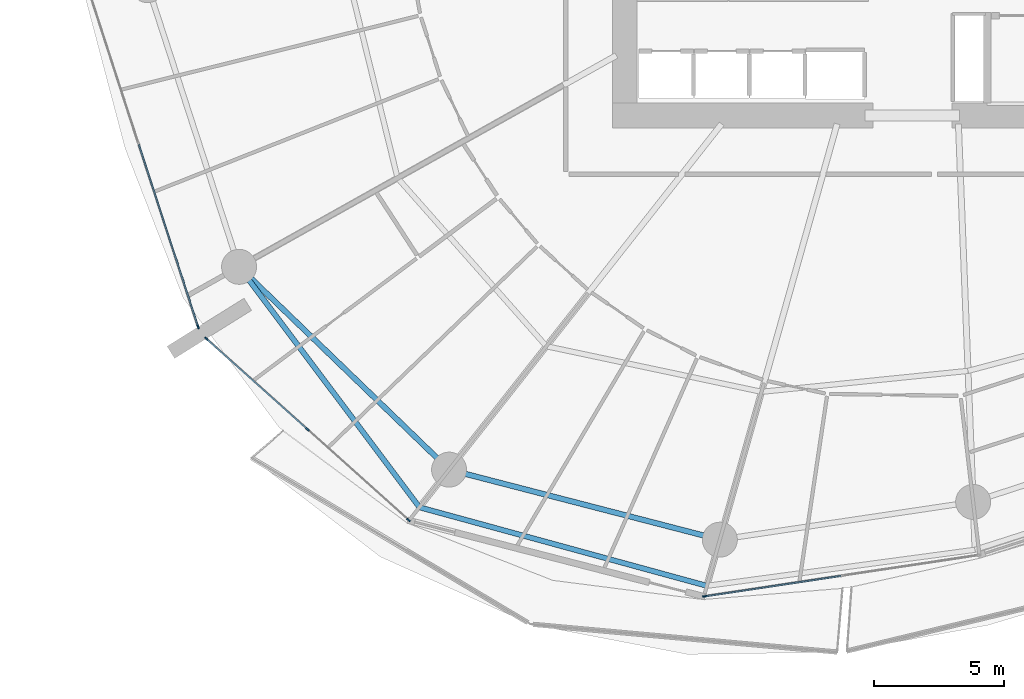
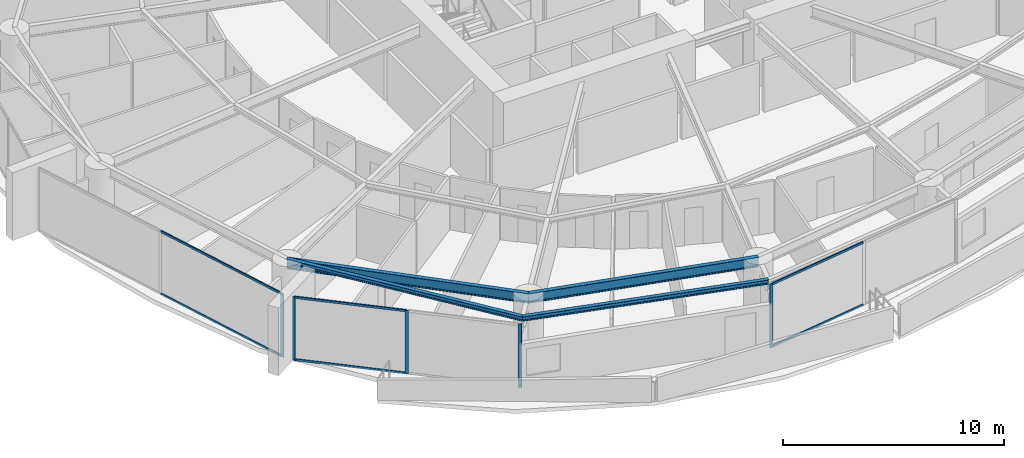
# One storey, part 7 of 31: 11 members, 4 beams, 3 elements without a shape of their own.
"""IFC4 building model written with IfcOpenShell, lengths in metres."""

from ifc_helpers import new_model, si_unit, direction, frame, origin, origin_2d, place, context, subcontext, project, spatial, rectangle, i_section, extrude, material, layer, layer_set, material_profile, profile_set, type_object, element, aggregate, save


model = new_model("IFC4")

# Units and contexts
model_context = context("Model", 3, precision=1e-05, world=origin(), true_north=direction((0.0, 1.0)))
body_context = subcontext(model_context, "Body", "Model", "MODEL_VIEW")
ifc_project = project(units=[si_unit("LENGTHUNIT", "METRE"), si_unit("AREAUNIT", "SQUARE_METRE"), si_unit("VOLUMEUNIT", "CUBIC_METRE"), si_unit("PLANEANGLEUNIT", "RADIAN"), si_unit("MASSUNIT", "GRAM", prefix="KILO")], contexts=[model_context])

# Site, building, storey
site_placement = place(None, origin())
site = spatial("IfcSite", under=ifc_project, at=site_placement, CompositionType="ELEMENT")
building_placement = place(site_placement, origin())
building = spatial("IfcBuilding", under=site, at=building_placement, Name="Kazma Halo Residences", CompositionType="ELEMENT")
storey_placement = place(building_placement, frame((0.0, 0.0, 45.14990234375)))
storey = spatial("IfcBuildingStorey", under=building, at=storey_placement, Name="L10", CompositionType="ELEMENT", Elevation=45.14990234375)

# Beams
ifc_material_1 = material(Name="Steel S355", Category="steel")
ifc_material_profile_1 = material_profile(ifc_material_1, i_section(OverallWidth=0.201904296875, OverallDepth=0.2470703125, WebThickness=0.00732421875, FlangeThickness=0.010986328125, FilletRadius=0.011962890625, at=origin_2d()), Name="W250x49.1")
ifc_profile_set_1 = profile_set([ifc_material_profile_1], Name="Steel S355")
beam_type_1 = type_object("IfcBeamType", Name="BM-BAL-CANT", PredefinedType="BEAM", material=ifc_profile_set_1)
beam_1_placement = place(storey_placement, frame((22.43505859375, 27.682861328125, 3.376708984375), z_axis=(0.600026935007, -0.799979798037, 0.0), x_axis=(0.799979798037, 0.600026935007, 0.0)))
element("IfcBeam", 1, at=beam_1_placement, inside=storey, type_object=beam_type_1, Name="L10 wave-balcony lead tie beam 09", PredefinedType="BEAM", context=body_context, shape_type="SweptSolid", body=[
    extrude(i_section(OverallWidth=0.201904296875, OverallDepth=0.2470703125, WebThickness=0.00732421875, FlangeThickness=0.010986328125, FilletRadius=0.011962890625, at=origin_2d()), origin(), (0.0, 0.0, 1.0), 11.601806640625),
])
beam_2_placement = place(storey_placement, frame((29.396484375, 18.401611328125, 3.376708984375), z_axis=(0.964628474934, -0.263613173697, 0.0), x_axis=(0.263613173697, 0.964628474934, 0.0)))
element("IfcBeam", 2, at=beam_2_placement, inside=storey, type_object=beam_type_1, Name="L10 wave-balcony tie beam 10", PredefinedType="BEAM", context=body_context, shape_type="SweptSolid", body=[
    extrude(i_section(OverallWidth=0.201904296875, OverallDepth=0.2470703125, WebThickness=0.00732421875, FlangeThickness=0.010986328125, FilletRadius=0.011962890625, at=origin_2d()), origin(), (0.0, 0.0, 1.0), 11.499755859375),
])
ifc_material_profile_2 = material_profile(ifc_material_1, i_section(OverallWidth=0.208984375, OverallDepth=0.532958984375, WebThickness=0.01025390625, FlangeThickness=0.015625, FilletRadius=0.01611328125, at=origin_2d()), Name="W530x92")
ifc_profile_set_2 = profile_set([ifc_material_profile_2], Name="Steel S355")
beam_type_2 = type_object("IfcBeamType", Name="BM-SPN-W530", PredefinedType="BEAM", material=ifc_profile_set_2)
beam_3_placement = place(storey_placement, frame((22.43505859375, 27.682861328125, 3.233642578125), z_axis=(0.719336506967, -0.694661780829, 0.0), x_axis=(0.694661780829, 0.719336506967, 0.0)))
element("IfcBeam", 3, at=beam_3_placement, inside=storey, type_object=beam_type_2, Name="L10 perimeter ring beam 09", PredefinedType="BEAM", context=body_context, shape_type="SweptSolid", body=[
    extrude(i_section(OverallWidth=0.208984375, OverallDepth=0.532958984375, WebThickness=0.01025390625, FlangeThickness=0.015625, FilletRadius=0.01611328125, at=origin_2d()), origin(), (0.0, 0.0, 1.0), 11.269775390625),
])
beam_4_placement = place(storey_placement, frame((30.541748046875, 19.854248046875, 3.233642578125), z_axis=(0.968123558238, -0.250473104313, 0.0), x_axis=(0.250473104313, 0.968123558238, 0.0)))
element("IfcBeam", 4, at=beam_4_placement, inside=storey, type_object=beam_type_2, Name="L10 perimeter ring beam 10", PredefinedType="BEAM", context=body_context, shape_type="SweptSolid", body=[
    extrude(i_section(OverallWidth=0.208984375, OverallDepth=0.532958984375, WebThickness=0.01025390625, FlangeThickness=0.015625, FilletRadius=0.01611328125, at=origin_2d()), origin(), (0.0, 0.0, 1.0), 10.7939453125),
])

# Curtain wall, member
ifc_material_2 = material(Name="Aluminium AW-6063 T6 and Triple-Silver Low-E Glass", Category="aluminium")
ifc_layer = layer(ifc_material_2, 0.159912109375)
ifc_layer_set = layer_set([ifc_layer], Name="Aluminium AW-6063 T6 and Triple-Silver Low-E Glass")
curtain_wall_type = type_object("IfcCurtainWallType", Name="CW-SYS-2", PredefinedType="NOTDEFINED", material=ifc_layer_set)
curtain_wall_1_placement = place(storey_placement, origin())
curtain_wall_1 = element("IfcCurtainWall", 5, at=curtain_wall_1_placement, inside=storey, type_object=curtain_wall_type, Name="L10 unitised curtain wall B08", PredefinedType="NOTDEFINED")
ifc_material_3 = material(Name="Aluminium AW-6063 T6", Category="aluminium")
ifc_material_profile_3 = material_profile(ifc_material_3, rectangle(XDim=0.06005859375, YDim=0.159912109375, at=origin_2d()), Name="CWM-60x160")
ifc_profile_set_3 = profile_set([ifc_material_profile_3], Name="Aluminium AW-6063 T6")
member_type_1 = type_object("IfcMemberType", Name="CW-SYS-2-MUL", PredefinedType="MULLION", material=ifc_profile_set_3)
member_1_placement = place(storey_placement, frame((20.854248046875, 25.36669921875, 0.0), z_axis=(0.0, 0.0, 1.0), x_axis=(0.95105652404, 0.309016970539, 0.0)))
member_1 = element("IfcMember", 6, at=member_1_placement, type_object=member_type_1, Name="CWS-2 mullion 3", PredefinedType="MULLION", context=body_context, shape_type="SweptSolid", body=[
    extrude(rectangle(XDim=0.06005859375, YDim=0.159912109375, at=origin_2d()), origin(), (0.0, 0.0, 1.0), 3.5),
])

# Curtain wall, members
curtain_wall_2_placement = place(storey_placement, origin())
curtain_wall_2 = element("IfcCurtainWall", 7, at=curtain_wall_2_placement, inside=storey, type_object=curtain_wall_type, Name="L10 unitised curtain wall B09", PredefinedType="NOTDEFINED")
member_2_placement = place(storey_placement, frame((21.17333984375, 24.908203125, 0.0), z_axis=(0.0, 0.0, 1.0), x_axis=(0.667821453854, 0.744321506993, 0.0)))
member_2 = element("IfcMember", 8, at=member_2_placement, type_object=member_type_1, Name="CWS-2 mullion 1", PredefinedType="MULLION", context=body_context, shape_type="SweptSolid", body=[
    extrude(rectangle(XDim=0.06005859375, YDim=0.159912109375, at=origin_2d()), origin(), (0.0, 0.0, 1.0), 3.5),
])
member_3_placement = place(storey_placement, frame((25.07275390625, 21.409912109375, 0.0), z_axis=(0.0, 0.0, 1.0), x_axis=(0.667821453854, 0.744321506993, 0.0)))
member_3 = element("IfcMember", 9, at=member_3_placement, type_object=member_type_1, Name="CWS-2 mullion 2", PredefinedType="MULLION", context=body_context, shape_type="SweptSolid", body=[
    extrude(rectangle(XDim=0.06005859375, YDim=0.159912109375, at=origin_2d()), origin(), (0.0, 0.0, 1.0), 3.5),
])
member_4_placement = place(storey_placement, frame((28.971923828125, 17.911376953125, 0.0), z_axis=(0.0, 0.0, 1.0), x_axis=(0.667821453854, 0.744321506993, 0.0)))
member_4 = element("IfcMember", 10, at=member_4_placement, type_object=member_type_1, Name="CWS-2 mullion 3", PredefinedType="MULLION", context=body_context, shape_type="SweptSolid", body=[
    extrude(rectangle(XDim=0.06005859375, YDim=0.159912109375, at=origin_2d()), origin(), (0.0, 0.0, 1.0), 3.5),
])

# Curtain wall, member
curtain_wall_3_placement = place(storey_placement, origin())
curtain_wall_3 = element("IfcCurtainWall", 11, at=curtain_wall_3_placement, inside=storey, type_object=curtain_wall_type, Name="L10 unitised curtain wall B11", PredefinedType="NOTDEFINED")
member_5_placement = place(storey_placement, frame((40.403076171875, 14.962158203125, 0.0), z_axis=(0.0, 0.0, 1.0), x_axis=(-0.148657272805, 0.988888777994, 0.0)))
member_5 = element("IfcMember", 12, at=member_5_placement, type_object=member_type_1, Name="CWS-2 mullion 1", PredefinedType="MULLION", context=body_context, shape_type="SweptSolid", body=[
    extrude(rectangle(XDim=0.06005859375, YDim=0.159912109375, at=origin_2d()), origin(), (0.0, 0.0, 1.0), 3.5),
])

# Member
ifc_material_profile_4 = material_profile(ifc_material_3, rectangle(XDim=0.06005859375, YDim=0.1201171875, at=origin_2d()), Name="CWT-60x120")
ifc_profile_set_4 = profile_set([ifc_material_profile_4], Name="Aluminium AW-6063 T6")
member_type_2 = type_object("IfcMemberType", Name="CW-SYS-2-TRN", PredefinedType="USERDEFINED", material=ifc_profile_set_4)
member_6_placement = place(storey_placement, frame((18.5673828125, 32.4052734375, 0.030029296875), z_axis=(0.309004433966, -0.951060597328, 0.0), x_axis=(0.951060597328, 0.309004433966, 0.0)))
member_6 = element("IfcMember", 13, at=member_6_placement, type_object=member_type_2, Name="CWS-2 transom 2.1", ObjectType="TRANSOM", PredefinedType="USERDEFINED", context=body_context, shape_type="SweptSolid", body=[
    extrude(rectangle(XDim=0.06005859375, YDim=0.1201171875, at=origin_2d()), origin(), (0.0, 0.0, 1.0), 7.370849609375),
])

member_7_placement = place(storey_placement, frame((18.5673828125, 32.4052734375, 3.47021484375), z_axis=(0.309004433966, -0.951060597328, 0.0), x_axis=(0.951060597328, 0.309004433966, 0.0)))
member_7 = element("IfcMember", 14, at=member_7_placement, type_object=member_type_2, Name="CWS-2 transom 2.2", ObjectType="TRANSOM", PredefinedType="USERDEFINED", context=body_context, shape_type="SweptSolid", body=[
    extrude(rectangle(XDim=0.06005859375, YDim=0.1201171875, at=origin_2d()), origin(), (0.0, 0.0, 1.0), 7.370849609375),
])

aggregate(curtain_wall_1, [member_1, member_6, member_7])

member_8_placement = place(storey_placement, frame((21.19580078125, 24.88818359375, 0.030029296875), z_axis=(0.744329408538, -0.66781264707, 0.0), x_axis=(0.66781264707, 0.744329408538, 0.0)))
member_8 = element("IfcMember", 15, at=member_8_placement, type_object=member_type_2, Name="CWS-2 transom 1.1", ObjectType="TRANSOM", PredefinedType="USERDEFINED", context=body_context, shape_type="SweptSolid", body=[
    extrude(rectangle(XDim=0.06005859375, YDim=0.1201171875, at=origin_2d()), origin(), (0.0, 0.0, 1.0), 5.178466796875),
])

member_9_placement = place(storey_placement, frame((21.19580078125, 24.88818359375, 3.47021484375), z_axis=(0.744329408538, -0.66781264707, 0.0), x_axis=(0.66781264707, 0.744329408538, 0.0)))
member_9 = element("IfcMember", 16, at=member_9_placement, type_object=member_type_2, Name="CWS-2 transom 1.2", ObjectType="TRANSOM", PredefinedType="USERDEFINED", context=body_context, shape_type="SweptSolid", body=[
    extrude(rectangle(XDim=0.06005859375, YDim=0.1201171875, at=origin_2d()), origin(), (0.0, 0.0, 1.0), 5.178466796875),
])

aggregate(curtain_wall_2, [member_2, member_3, member_4, member_8, member_9])

member_10_placement = place(storey_placement, frame((40.4326171875, 14.966796875, 0.030029296875), z_axis=(0.988890934274, 0.148642928222, 0.0), x_axis=(-0.148642928222, 0.988890934274, 0.0)))
member_10 = element("IfcMember", 17, at=member_10_placement, type_object=member_type_2, Name="CWS-2 transom 1.1", ObjectType="TRANSOM", PredefinedType="USERDEFINED", context=body_context, shape_type="SweptSolid", body=[
    extrude(rectangle(XDim=0.06005859375, YDim=0.1201171875, at=origin_2d()), origin(), (0.0, 0.0, 1.0), 5.288818359375),
])

member_11_placement = place(storey_placement, frame((40.4326171875, 14.966796875, 3.47021484375), z_axis=(0.988890934274, 0.148642928222, 0.0), x_axis=(-0.148642928222, 0.988890934274, 0.0)))
member_11 = element("IfcMember", 18, at=member_11_placement, type_object=member_type_2, Name="CWS-2 transom 1.2", ObjectType="TRANSOM", PredefinedType="USERDEFINED", context=body_context, shape_type="SweptSolid", body=[
    extrude(rectangle(XDim=0.06005859375, YDim=0.1201171875, at=origin_2d()), origin(), (0.0, 0.0, 1.0), 5.288818359375),
])

aggregate(curtain_wall_3, [member_5, member_10, member_11])

save(model, "model.ifc")
